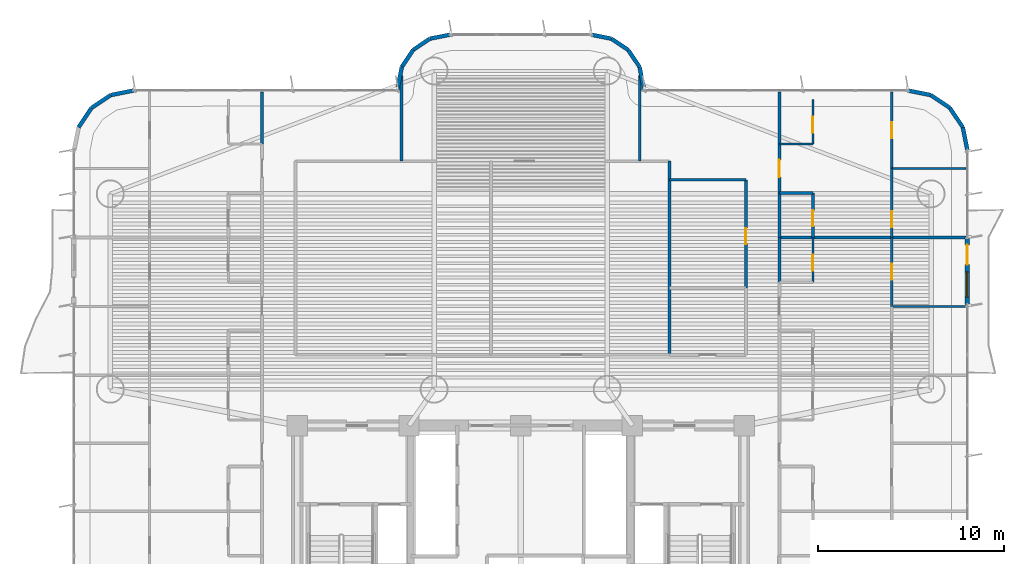
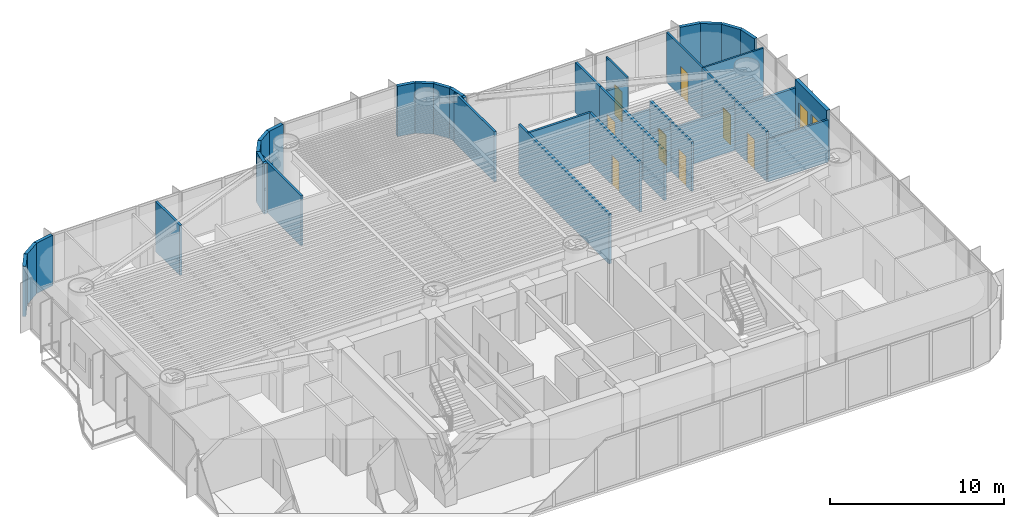
# One storey, part 14 of 19: 39 walls, 9 doors, 1 window, 10 openings.
"""IFC4 building model written with IfcOpenShell, lengths in metres."""

from ifc_helpers import new_model, si_unit, direction, frame, frame_2d, origin, origin_2d, place, context, subcontext, project, spatial, rectangle, extrude, source, transform, mapped, material, layer, layer_set, type_object, element, fill, save


model = new_model("IFC4")

# Units and contexts
model_context = context("Model", 3, precision=1e-05, world=origin(), true_north=direction((0.0, 1.0)))
body_context = subcontext(model_context, "Body", "Model", "MODEL_VIEW")
ifc_project = project(units=[si_unit("LENGTHUNIT", "METRE"), si_unit("AREAUNIT", "SQUARE_METRE"), si_unit("VOLUMEUNIT", "CUBIC_METRE"), si_unit("PLANEANGLEUNIT", "RADIAN"), si_unit("MASSUNIT", "GRAM", prefix="KILO")], contexts=[model_context])

# Site, building, storey
site_placement = place(None, origin())
site = spatial("IfcSite", under=ifc_project, at=site_placement, CompositionType="ELEMENT")
building_placement = place(site_placement, origin())
building = spatial("IfcBuilding", under=site, at=building_placement, Name="Brelvock Crest Care Tower", CompositionType="ELEMENT")
storey_placement = place(building_placement, frame((0.0, 0.0, 34.56005859375)))
storey = spatial("IfcBuildingStorey", under=building, at=storey_placement, Name="L08", CompositionType="ELEMENT", Elevation=34.56005859375)

# Wall, openings, door, window
ifc_material_1 = material(Name="Precast concrete N40 (40 MPa)", Category="concrete")
ifc_layer_1 = layer(ifc_material_1, 0.239990234375, Name="WL-EX1")
ifc_layer_set_1 = layer_set([ifc_layer_1], Name="Precast concrete N40 (40 MPa)")
wall_type_1 = type_object("IfcWallType", Name="WL-EX1", PredefinedType="SOLIDWALL", material=ifc_layer_set_1)
wall_1_placement = place(storey_placement, frame((60.0, 28.10009765625, 0.0), z_axis=(0.0, 0.0, 1.0), x_axis=(0.0, -1.0, 0.0)))
wall_1 = element("IfcWall", 1, at=wall_1_placement, inside=storey, type_object=wall_type_1, Name="L08 Exterior Spandrel Wall WL-BAL-L08-E", PredefinedType="SOLIDWALL", context=body_context, shape_type="SweptSolid", body=[
    extrude(rectangle(XDim=3.60009765625, YDim=0.239990234375, at=frame_2d((1.800048828125, 0.0))), origin(), (0.0, 0.0, 1.0), 3.530029296875),
])
opening_1_placement = place(wall_1_placement, frame((0.39990234375, 0.0, 0.0)))
opening_1 = element("IfcOpeningElement", 2, at=opening_1_placement, cuts=wall_1, Name="Opening BD-1", PredefinedType="OPENING", context=body_context, shape_type="SweptSolid", body=[
    extrude(rectangle(XDim=1.050048828125, YDim=2.14990234375, at=origin_2d()), frame((0.52490234375, 0.1298828125, 1.074951171875), z_axis=(0.0, -1.0, 0.0), x_axis=(1.0, 0.0, 0.0)), (0.0, 0.0, 1.0), 0.260009765625),
])
opening_2_placement = place(wall_1_placement, frame((1.85009765625, 0.0, 0.85009765625)))
opening_2 = element("IfcOpeningElement", 3, at=opening_2_placement, cuts=wall_1, Name="Opening W-01", PredefinedType="OPENING", context=body_context, shape_type="SweptSolid", body=[
    extrude(rectangle(XDim=1.35009765625, YDim=1.35009765625, at=origin_2d()), frame((0.675048828125, 0.1298828125, 0.675048828125), z_axis=(0.0, -1.0, 0.0), x_axis=(1.0, 0.0, 0.0)), (0.0, 0.0, 1.0), 0.260009765625),
])
ifc_material_2 = material(Name="Dark Glass Double Glazed Low-E", Category="glass")
door_type_1 = type_object("IfcDoorType", Name="DR-BAL1", OperationType="NOTDEFINED", PredefinedType="DOOR", material=ifc_material_2)
shared_shape_1 = source(origin(), body_context, "Body", "SweptSolid", [
    extrude(rectangle(XDim=1.050048828125, YDim=2.14990234375, at=origin_2d()), frame((0.52490234375, 0.02490234375, 1.074951171875), z_axis=(0.0, -1.0, 0.0), x_axis=(1.0, 0.0, 0.0)), (0.0, 0.0, 1.0), 0.050048828125),
])
door_1_placement = place(opening_1_placement, origin())
door_1 = element("IfcDoor", 4, at=door_1_placement, inside=storey, type_object=door_type_1, Name="L08 E Wave Balcony Glazed Door", OperationType="SINGLE_SWING_RIGHT", OverallHeight=2.14990234375, OverallWidth=1.050048828125, PredefinedType="DOOR", context=body_context, shape_type="MappedRepresentation", body=[
    mapped(shared_shape_1, transform((0.0, 0.0, 0.0), x_axis=(1.0, 0.0, 0.0), y_axis=(0.0, 1.0, 0.0), z_axis=(0.0, 0.0, 1.0), scale=1.0)),
])
fill(opening_1, door_1)
window_type = type_object("IfcWindowType", Name="WN-EX1", PartitioningType="SINGLE_PANEL", PredefinedType="WINDOW", material=ifc_material_2)
shared_shape_2 = source(origin(), body_context, "Body", "SweptSolid", [
    extrude(rectangle(XDim=1.35009765625, YDim=1.35009765625, at=origin_2d()), frame((0.675048828125, 0.030029296875, 0.675048828125), z_axis=(0.0, -1.0, 0.0), x_axis=(1.0, 0.0, 0.0)), (0.0, 0.0, 1.0), 0.06005859375),
])
window_placement = place(opening_2_placement, origin())
window = element("IfcWindow", 5, at=window_placement, inside=storey, type_object=window_type, Name="L08 E Suite Casement Window", OverallHeight=1.35009765625, OverallWidth=1.35009765625, PartitioningType="SINGLE_PANEL", PredefinedType="WINDOW", context=body_context, shape_type="MappedRepresentation", body=[
    mapped(shared_shape_2, transform((0.0, 0.0, 0.0), x_axis=(1.0, 0.0, 0.0), y_axis=(0.0, 1.0, 0.0), z_axis=(0.0, 0.0, 1.0), scale=1.0)),
])
fill(opening_2, window)

# Walls
ifc_layer_2 = layer(ifc_material_1, 0.215087890625, Name="WL-EX2")
ifc_layer_set_2 = layer_set([ifc_layer_2], Name="Precast concrete N40 (40 MPa)")
wall_type_2 = type_object("IfcWallType", Name="WL-EX2", PredefinedType="SOLIDWALL", material=ifc_layer_set_2)
for number, where, z_axis, x_axis, name in (
    (6, (58.024658203125, 35.75634765625, 0.0), (0.0, 0.0, 1.0), (0.831478245117, -0.555557312883, 0.0), "L08 Rounded Corner Wall 00"),
    (7, (59.062744140625, 35.062744140625, 0.0), (0.0, 0.0, 1.0), (0.555557312883, -0.831478245117, 0.0), "L08 Rounded Corner Wall 01"),
    (8, (59.75634765625, 34.024658203125, 0.0), (0.0, 0.0, 1.0), (0.195138390419, -0.980775717779, 0.0), "L08 Rounded Corner Wall 02"),
    (9, (12.24365234375, 34.024658203125, 0.0), (0.0, 0.0, 1.0), (0.555557312883, 0.831478245117, 0.0), "L08 Rounded Corner Wall 15"),
    (10, (12.937255859375, 35.062744140625, 0.0), (0.0, 0.0, 1.0), (0.831478245117, 0.555557312883, 0.0), "L08 Rounded Corner Wall 16"),
    (11, (13.975341796875, 35.75634765625, 0.0), (0.0, 0.0, 1.0), (0.980775717779, 0.195138390419, 0.0), "L08 Rounded Corner Wall 17"),
):
    element("IfcWall", number, at=place(storey_placement, frame(where, z_axis=z_axis, x_axis=x_axis)), inside=storey, type_object=wall_type_2, Name=name, PredefinedType="SOLIDWALL", context=body_context, shape_type="SweptSolid", body=[
        extrude(rectangle(XDim=1.24853515625, YDim=0.215087890625, at=frame_2d((0.624267578125, 0.0))), origin(), (0.0, 0.0, 1.0), 3.530029296875),
    ])
wall_2_placement = place(storey_placement, frame((29.39990234375, 36.0, 0.0), z_axis=(0.0, 0.0, 1.0), x_axis=(0.0, 1.0, 0.0)))
element("IfcWall", 12, at=wall_2_placement, inside=storey, type_object=wall_type_2, Name="L08 Rounded Corner Wall 19", PredefinedType="SOLIDWALL", context=body_context, shape_type="SweptSolid", body=[
    extrude(rectangle(XDim=0.199951171875, YDim=0.215087890625, at=frame_2d((0.10009765625, 0.0))), origin(), (0.0, 0.0, 1.0), 3.530029296875),
])
wall_3_placement = place(storey_placement, frame((29.39990234375, 36.199951171875, 0.0), z_axis=(0.0, 0.0, 1.0), x_axis=(0.195084651288, 0.980786408364, 0.0)))
element("IfcWall", 13, at=wall_3_placement, inside=storey, type_object=wall_type_2, Name="L08 Rounded Corner Wall 20", PredefinedType="SOLIDWALL", context=body_context, shape_type="SweptSolid", body=[
    extrude(rectangle(XDim=1.092529296875, YDim=0.215087890625, at=frame_2d((0.54638671875, 0.0))), origin(), (0.0, 0.0, 1.0), 3.530029296875),
])
wall_4_placement = place(storey_placement, frame((29.613037109375, 37.271484375, 0.0), z_axis=(0.0, 0.0, 1.0), x_axis=(0.555679482341, 0.831396603857, 0.0)))
element("IfcWall", 14, at=wall_4_placement, inside=storey, type_object=wall_type_2, Name="L08 Rounded Corner Wall 21", PredefinedType="SOLIDWALL", context=body_context, shape_type="SweptSolid", body=[
    extrude(rectangle(XDim=1.0927734375, YDim=0.215087890625, at=frame_2d((0.54638671875, 0.0))), origin(), (0.0, 0.0, 1.0), 3.530029296875),
])
wall_5_placement = place(storey_placement, frame((30.22021484375, 38.179931640625, 0.0), z_axis=(0.0, 0.0, 1.0), x_axis=(0.831430845238, 0.555628247651, 0.0)))
element("IfcWall", 15, at=wall_5_placement, inside=storey, type_object=wall_type_2, Name="L08 Rounded Corner Wall 22", PredefinedType="SOLIDWALL", context=body_context, shape_type="SweptSolid", body=[
    extrude(rectangle(XDim=1.09228515625, YDim=0.215087890625, at=frame_2d((0.546142578125, 0.0))), origin(), (0.0, 0.0, 1.0), 3.530029296875),
])
for number, where, z_axis, x_axis, name in (
    (16, (31.12841796875, 38.786865234375, 0.0), (0.0, 0.0, 1.0), (0.980786408364, 0.195084651288, 0.0), "L08 Rounded Corner Wall 23"),
    (17, (39.800048828125, 39.0, 0.0), (0.0, 0.0, 1.0), (0.980786408364, -0.195084651288, 0.0), "L08 Rounded Corner Wall 25"),
):
    element("IfcWall", number, at=place(storey_placement, frame(where, z_axis=z_axis, x_axis=x_axis)), inside=storey, type_object=wall_type_2, Name=name, PredefinedType="SOLIDWALL", context=body_context, shape_type="SweptSolid", body=[
        extrude(rectangle(XDim=1.092529296875, YDim=0.215087890625, at=frame_2d((0.54638671875, 0.0))), origin(), (0.0, 0.0, 1.0), 3.530029296875),
    ])
wall_6_placement = place(storey_placement, frame((40.87158203125, 38.786865234375, 0.0), z_axis=(0.0, 0.0, 1.0), x_axis=(0.831430845238, -0.555628247651, 0.0)))
element("IfcWall", 18, at=wall_6_placement, inside=storey, type_object=wall_type_2, Name="L08 Rounded Corner Wall 26", PredefinedType="SOLIDWALL", context=body_context, shape_type="SweptSolid", body=[
    extrude(rectangle(XDim=1.09228515625, YDim=0.215087890625, at=frame_2d((0.546142578125, 0.0))), origin(), (0.0, 0.0, 1.0), 3.530029296875),
])
wall_7_placement = place(storey_placement, frame((41.77978515625, 38.179931640625, 0.0), z_axis=(0.0, 0.0, 1.0), x_axis=(0.555679482341, -0.831396603857, 0.0)))
element("IfcWall", 19, at=wall_7_placement, inside=storey, type_object=wall_type_2, Name="L08 Rounded Corner Wall 27", PredefinedType="SOLIDWALL", context=body_context, shape_type="SweptSolid", body=[
    extrude(rectangle(XDim=1.0927734375, YDim=0.215087890625, at=frame_2d((0.54638671875, 0.0))), origin(), (0.0, 0.0, 1.0), 3.530029296875),
])
wall_8_placement = place(storey_placement, frame((42.386962890625, 37.271484375, 0.0), z_axis=(0.0, 0.0, 1.0), x_axis=(0.195084651288, -0.980786408364, 0.0)))
element("IfcWall", 20, at=wall_8_placement, inside=storey, type_object=wall_type_2, Name="L08 Rounded Corner Wall 28", PredefinedType="SOLIDWALL", context=body_context, shape_type="SweptSolid", body=[
    extrude(rectangle(XDim=1.092529296875, YDim=0.215087890625, at=frame_2d((0.54638671875, 0.0))), origin(), (0.0, 0.0, 1.0), 3.530029296875),
])
wall_9_placement = place(storey_placement, frame((42.60009765625, 36.199951171875, 0.0), z_axis=(0.0, 0.0, 1.0), x_axis=(0.0, -1.0, 0.0)))
element("IfcWall", 21, at=wall_9_placement, inside=storey, type_object=wall_type_2, Name="L08 Rounded Corner Wall 29", PredefinedType="SOLIDWALL", context=body_context, shape_type="SweptSolid", body=[
    extrude(rectangle(XDim=0.199951171875, YDim=0.215087890625, at=frame_2d((0.10009765625, 0.0))), origin(), (0.0, 0.0, 1.0), 3.530029296875),
])
wall_10_placement = place(storey_placement, frame((56.800048828125, 36.0, 0.0), z_axis=(0.0, 0.0, 1.0), x_axis=(0.980775717779, -0.195138390419, 0.0)))
element("IfcWall", 22, at=wall_10_placement, inside=storey, type_object=wall_type_2, Name="L08 Rounded Corner Wall 31", PredefinedType="SOLIDWALL", context=body_context, shape_type="SweptSolid", body=[
    extrude(rectangle(XDim=1.24853515625, YDim=0.215087890625, at=frame_2d((0.624267578125, 0.0))), origin(), (0.0, 0.0, 1.0), 3.530029296875),
])
ifc_material_3 = material(Name="Masonry Blockwork Acoustic Partition", Category="masonry")
ifc_layer_3 = layer(ifc_material_3, 0.14990234375, Name="WL-INT1")
ifc_layer_set_3 = layer_set([ifc_layer_3], Name="Masonry Blockwork Acoustic Partition")
wall_type_3 = type_object("IfcWallType", Name="WL-INT1", PredefinedType="PARTITIONING", material=ifc_layer_set_3)
wall_11_placement = place(storey_placement, frame((49.89990234375, 28.10009765625, 0.0), z_axis=(0.0, 0.0, 1.0), x_axis=(1.0, 0.0, 0.0)))
element("IfcWall", 23, at=wall_11_placement, inside=storey, type_object=wall_type_3, Name="L08 Interior Wall WL-BX-L08-FL-EW3-N", PredefinedType="PARTITIONING", context=body_context, shape_type="SweptSolid", body=[
    extrude(rectangle(XDim=10.02001953125, YDim=0.14990234375, at=frame_2d((5.010009765625, 0.0))), origin(), (0.0, 0.0, 1.0), 2.98193359375),
])
wall_12_placement = place(storey_placement, frame((44.0, 31.199951171875, 0.0), z_axis=(0.0, 0.0, 1.0), x_axis=(1.0, 0.0, 0.0)))
element("IfcWall", 24, at=wall_12_placement, inside=storey, type_object=wall_type_3, Name="L08 Interior Wall WL-BX-L08-CKIT-N", PredefinedType="PARTITIONING", context=body_context, shape_type="SweptSolid", body=[
    extrude(rectangle(XDim=4.10009765625, YDim=0.14990234375, at=frame_2d((2.050048828125, 0.0))), origin(), (0.0, 0.0, 1.0), 3.5),
])
wall_13_placement = place(storey_placement, frame((22.10009765625, 33.1201171875, 0.0), z_axis=(0.0, 0.0, 1.0), x_axis=(0.0, 1.0, 0.0)))
element("IfcWall", 25, at=wall_13_placement, inside=storey, type_object=wall_type_3, Name="L08 Interior Wall WL-UCK-L08-WW4", PredefinedType="PARTITIONING", context=body_context, shape_type="SweptSolid", body=[
    extrude(rectangle(XDim=2.800537109375, YDim=0.14990234375, at=frame_2d((1.400390625, 0.0))), origin(), (0.0, 0.0, 1.0), 3.5),
])
for number, where, z_axis, x_axis, name in (
    (26, (29.60009765625, 32.199951171875, 0.0), (0.0, 0.0, 1.0), (0.0, 1.0, 0.0), "L08 Interior Wall WL-BX-L08-NHUB-W"),
    (27, (42.39990234375, 32.199951171875, 0.0), (0.0, 0.0, 1.0), (0.0, 1.0, 0.0), "L08 Interior Wall WL-BX-L08-NHUB-E"),
):
    element("IfcWall", number, at=place(storey_placement, frame(where, z_axis=z_axis, x_axis=x_axis)), inside=storey, type_object=wall_type_3, Name=name, PredefinedType="PARTITIONING", context=body_context, shape_type="SweptSolid", body=[
        extrude(rectangle(XDim=4.595458984375, YDim=0.14990234375, at=frame_2d((2.2978515625, 0.0))), origin(), (0.0, 0.0, 1.0), 3.5),
    ])

# Wall, opening, door
wall_14_placement = place(storey_placement, frame((48.10009765625, 25.39990234375, 0.0), z_axis=(0.0, 0.0, 1.0), x_axis=(0.0, 1.0, 0.0)))
wall_14 = element("IfcWall", 28, at=wall_14_placement, inside=storey, type_object=wall_type_3, Name="L08 Interior Wall WL-RM-L08-CKIT", PredefinedType="PARTITIONING", context=body_context, shape_type="SweptSolid", body=[
    extrude(rectangle(XDim=5.800048828125, YDim=0.14990234375, at=frame_2d((2.89990234375, 0.0))), origin(), (0.0, 0.0, 1.0), 3.5),
])
opening_3_placement = place(wall_14_placement, frame((2.340087890625, 0.0, 0.0)))
opening_3 = element("IfcOpeningElement", 29, at=opening_3_placement, cuts=wall_14, Name="Opening ID-1", PredefinedType="OPENING", context=body_context, shape_type="SweptSolid", body=[
    extrude(rectangle(XDim=0.860107421875, YDim=2.10009765625, at=origin_2d()), frame((0.43017578125, 0.0849609375, 1.050048828125), z_axis=(0.0, -1.0, 0.0), x_axis=(1.0, 0.0, 0.0)), (0.0, 0.0, 1.0), 0.169921875),
])
ifc_material_4 = material(Name="Engineered Hardwood Timber", Category="wood")
door_type_2 = type_object("IfcDoorType", Name="DR-INT1", OperationType="NOTDEFINED", PredefinedType="DOOR", material=ifc_material_4)
shared_shape_3 = source(origin(), body_context, "Body", "SweptSolid", [
    extrude(rectangle(XDim=0.860107421875, YDim=2.10009765625, at=origin_2d()), frame((0.43017578125, 0.02490234375, 1.050048828125), z_axis=(0.0, -1.0, 0.0), x_axis=(1.0, 0.0, 0.0)), (0.0, 0.0, 1.0), 0.050048828125),
])
door_2_placement = place(opening_3_placement, origin())
door_2 = element("IfcDoor", 30, at=door_2_placement, inside=storey, type_object=door_type_2, Name="L08 Neighbourhood Pantry Kitchen Door CKIT", OperationType="SINGLE_SWING_LEFT", OverallHeight=2.10009765625, OverallWidth=0.860107421875, PredefinedType="DOOR", context=body_context, shape_type="MappedRepresentation", body=[
    mapped(shared_shape_3, transform((0.0, 0.0, 0.0), x_axis=(1.0, 0.0, 0.0), y_axis=(0.0, 1.0, 0.0), z_axis=(0.0, 0.0, 1.0), scale=1.0)),
])
fill(opening_3, door_2)

# Wall
wall_15_placement = place(storey_placement, frame((49.89990234375, 25.699951171875, 0.0), z_axis=(0.0, 0.0, 1.0), x_axis=(0.0, 1.0, 0.0)))
element("IfcWall", 31, at=wall_15_placement, inside=storey, type_object=wall_type_3, Name="L08 Interior Wall WL-UCK-L08-EW3", PredefinedType="PARTITIONING", context=body_context, shape_type="SweptSolid", body=[
    extrude(rectangle(XDim=2.400146484375, YDim=0.14990234375, at=frame_2d((1.2001953125, 0.0))), origin(), (0.0, 0.0, 1.0), 3.5),
])

# Wall, opening, door
wall_16_placement = place(storey_placement, frame((49.89990234375, 30.5, 0.0), z_axis=(0.0, 0.0, 1.0), x_axis=(0.0, 1.0, 0.0)))
wall_16 = element("IfcWall", 32, at=wall_16_placement, inside=storey, type_object=wall_type_3, Name="L08 Interior Wall WL-UENT-L08-EW4", PredefinedType="PARTITIONING", context=body_context, shape_type="SweptSolid", body=[
    extrude(rectangle(XDim=2.6201171875, YDim=0.14990234375, at=frame_2d((1.31005859375, 0.0))), origin(), (0.0, 0.0, 1.0), 3.5),
])
opening_4_placement = place(wall_16_placement, frame((0.85009765625, 0.0, 0.0)))
opening_4 = element("IfcOpeningElement", 33, at=opening_4_placement, cuts=wall_16, Name="Opening AD-1", PredefinedType="OPENING", context=body_context, shape_type="SweptSolid", body=[
    extrude(rectangle(XDim=0.919921875, YDim=2.10009765625, at=origin_2d()), frame((0.4599609375, 0.0849609375, 1.050048828125), z_axis=(0.0, -1.0, 0.0), x_axis=(1.0, 0.0, 0.0)), (0.0, 0.0, 1.0), 0.169921875),
])
door_type_3 = type_object("IfcDoorType", Name="DR-APT1", OperationType="NOTDEFINED", PredefinedType="DOOR", material=ifc_material_4)
shared_shape_4 = source(origin(), body_context, "Body", "SweptSolid", [
    extrude(rectangle(XDim=0.919921875, YDim=2.10009765625, at=origin_2d()), frame((0.4599609375, 0.02490234375, 1.050048828125), z_axis=(0.0, -1.0, 0.0), x_axis=(1.0, 0.0, 0.0)), (0.0, 0.0, 1.0), 0.050048828125),
])
door_3_placement = place(opening_4_placement, origin())
door_3 = element("IfcDoor", 34, at=door_3_placement, inside=storey, type_object=door_type_3, Name="L08 Apartment Entrance EW4", OperationType="SINGLE_SWING_LEFT", OverallHeight=2.10009765625, OverallWidth=0.919921875, PredefinedType="DOOR", context=body_context, shape_type="MappedRepresentation", body=[
    mapped(shared_shape_4, transform((0.0, 0.0, 0.0), x_axis=(1.0, 0.0, 0.0), y_axis=(0.0, 1.0, 0.0), z_axis=(0.0, 0.0, 1.0), scale=1.0)),
])
fill(opening_4, door_3)

# Walls
wall_17_placement = place(storey_placement, frame((49.89990234375, 33.1201171875, 0.0), z_axis=(0.0, 0.0, 1.0), x_axis=(0.0, 1.0, 0.0)))
element("IfcWall", 35, at=wall_17_placement, inside=storey, type_object=wall_type_3, Name="L08 Interior Wall WL-UCK-L08-EW4", PredefinedType="PARTITIONING", context=body_context, shape_type="SweptSolid", body=[
    extrude(rectangle(XDim=2.800048828125, YDim=0.14990234375, at=frame_2d((1.39990234375, 0.0))), origin(), (0.0, 0.0, 1.0), 3.5),
])
ifc_material_5 = material(Name="Gypsum Plasterboard Partition", Category="gypsum")
ifc_layer_4 = layer(ifc_material_5, 0.1201171875, Name="WL-INT2")
ifc_layer_set_4 = layer_set([ifc_layer_4], Name="Gypsum Plasterboard Partition")
wall_type_4 = type_object("IfcWallType", Name="WL-INT2", PredefinedType="PARTITIONING", material=ifc_layer_set_4)
wall_18_placement = place(storey_placement, frame((55.93603515625, 24.39990234375, 0.0), z_axis=(0.0, 0.0, 1.0), x_axis=(1.0, 0.0, 0.0)))
element("IfcWall", 36, at=wall_18_placement, inside=storey, type_object=wall_type_4, Name="L08 Interior Wall WL-UBSP-L08-EW3", PredefinedType="PARTITIONING", context=body_context, shape_type="SweptSolid", body=[
    extrude(rectangle(XDim=3.98388671875, YDim=0.1201171875, at=frame_2d((1.991943359375, 0.0))), origin(), (0.0, 0.0, 1.0), 2.98193359375),
])
wall_19_placement = place(storey_placement, frame((55.93603515625, 31.81005859375, 0.0), z_axis=(0.0, 0.0, 1.0), x_axis=(1.0, 0.0, 0.0)))
element("IfcWall", 37, at=wall_19_placement, inside=storey, type_object=wall_type_4, Name="L08 Interior Wall WL-UBSP-L08-EW4", PredefinedType="PARTITIONING", context=body_context, shape_type="SweptSolid", body=[
    extrude(rectangle(XDim=3.98388671875, YDim=0.1201171875, at=frame_2d((1.991943359375, 0.0))), origin(), (0.0, 0.0, 1.0), 3.5),
])
wall_20_placement = place(storey_placement, frame((49.89990234375, 33.1201171875, 0.0), z_axis=(0.0, 0.0, 1.0), x_axis=(1.0, 0.0, 0.0)))
element("IfcWall", 38, at=wall_20_placement, inside=storey, type_object=wall_type_4, Name="L08 Interior Wall WL-UKIT2-L08-EW4", PredefinedType="PARTITIONING", context=body_context, shape_type="SweptSolid", body=[
    extrude(rectangle(XDim=1.800048828125, YDim=0.1201171875, at=frame_2d((0.89990234375, 0.0))), origin(), (0.0, 0.0, 1.0), 3.054931640625),
])

# Wall, opening, door
wall_21_placement = place(storey_placement, frame((51.699951171875, 25.699951171875, 0.0), z_axis=(0.0, 0.0, 1.0), x_axis=(0.0, 1.0, 0.0)))
wall_21 = element("IfcWall", 39, at=wall_21_placement, inside=storey, type_object=wall_type_4, Name="L08 Interior Wall WL-UKIT1-L08-EW3", PredefinedType="PARTITIONING", context=body_context, shape_type="SweptSolid", body=[
    extrude(rectangle(XDim=2.400146484375, YDim=0.1201171875, at=frame_2d((1.2001953125, 0.0))), origin(), (0.0, 0.0, 1.0), 3.5),
])
opening_5_placement = place(wall_21_placement, frame((0.6201171875, 0.0, 0.0)))
opening_5 = element("IfcOpeningElement", 40, at=opening_5_placement, cuts=wall_21, Name="Opening ID-1", PredefinedType="OPENING", context=body_context, shape_type="SweptSolid", body=[
    extrude(rectangle(XDim=0.860107421875, YDim=2.10009765625, at=origin_2d()), frame((0.43017578125, 0.070068359375, 1.050048828125), z_axis=(0.0, -1.0, 0.0), x_axis=(1.0, 0.0, 0.0)), (0.0, 0.0, 1.0), 0.14013671875),
])
door_4_placement = place(opening_5_placement, origin())
door_4 = element("IfcDoor", 41, at=door_4_placement, inside=storey, type_object=door_type_2, Name="L08 Kitchen Door EW3", OperationType="SINGLE_SWING_RIGHT", OverallHeight=2.10009765625, OverallWidth=0.860107421875, PredefinedType="DOOR", context=body_context, shape_type="MappedRepresentation", body=[
    mapped(shared_shape_3, transform((0.0, 0.0, 0.0), x_axis=(1.0, 0.0, 0.0), y_axis=(0.0, 1.0, 0.0), z_axis=(0.0, 0.0, 1.0), scale=1.0)),
])
fill(opening_5, door_4)

wall_22_placement = place(storey_placement, frame((51.699951171875, 33.1201171875, 0.0), z_axis=(0.0, 0.0, 1.0), x_axis=(0.0, 1.0, 0.0)))
wall_22 = element("IfcWall", 42, at=wall_22_placement, inside=storey, type_object=wall_type_4, Name="L08 Interior Wall WL-UKIT1-L08-EW4", PredefinedType="PARTITIONING", context=body_context, shape_type="SweptSolid", body=[
    extrude(rectangle(XDim=2.39990234375, YDim=0.1201171875, at=frame_2d((1.199951171875, 0.0))), origin(), (0.0, 0.0, 1.0), 3.5),
])
opening_6_placement = place(wall_22_placement, frame((0.6201171875, 0.0, 0.0)))
opening_6 = element("IfcOpeningElement", 43, at=opening_6_placement, cuts=wall_22, Name="Opening ID-1", PredefinedType="OPENING", context=body_context, shape_type="SweptSolid", body=[
    extrude(rectangle(XDim=0.860107421875, YDim=2.10009765625, at=origin_2d()), frame((0.43017578125, 0.070068359375, 1.050048828125), z_axis=(0.0, -1.0, 0.0), x_axis=(1.0, 0.0, 0.0)), (0.0, 0.0, 1.0), 0.14013671875),
])
door_5_placement = place(opening_6_placement, origin())
door_5 = element("IfcDoor", 44, at=door_5_placement, inside=storey, type_object=door_type_2, Name="L08 Kitchen Door EW4", OperationType="SINGLE_SWING_RIGHT", OverallHeight=2.10009765625, OverallWidth=0.860107421875, PredefinedType="DOOR", context=body_context, shape_type="MappedRepresentation", body=[
    mapped(shared_shape_3, transform((0.0, 0.0, 0.0), x_axis=(1.0, 0.0, 0.0), y_axis=(0.0, 1.0, 0.0), z_axis=(0.0, 0.0, 1.0), scale=1.0)),
])
fill(opening_6, door_5)

wall_23_placement = place(storey_placement, frame((55.93603515625, 24.39990234375, 0.0), z_axis=(0.0, 0.0, 1.0), x_axis=(0.0, 1.0, 0.0)))
wall_23 = element("IfcWall", 45, at=wall_23_placement, inside=storey, type_object=wall_type_4, Name="L08 Interior Wall WL-UBD2-L08-EW3", PredefinedType="PARTITIONING", context=body_context, shape_type="SweptSolid", body=[
    extrude(rectangle(XDim=3.7001953125, YDim=0.1201171875, at=frame_2d((1.85009765625, 0.0))), origin(), (0.0, 0.0, 1.0), 3.5),
])
opening_7_placement = place(wall_23_placement, frame((1.419921875, 0.0, 0.0)))
opening_7 = element("IfcOpeningElement", 46, at=opening_7_placement, cuts=wall_23, Name="Opening ID-1", PredefinedType="OPENING", context=body_context, shape_type="SweptSolid", body=[
    extrude(rectangle(XDim=0.860107421875, YDim=2.10009765625, at=origin_2d()), frame((0.43017578125, 0.070068359375, 1.050048828125), z_axis=(0.0, -1.0, 0.0), x_axis=(1.0, 0.0, 0.0)), (0.0, 0.0, 1.0), 0.14013671875),
])
door_6_placement = place(opening_7_placement, origin())
door_6 = element("IfcDoor", 47, at=door_6_placement, inside=storey, type_object=door_type_2, Name="L08 Second Room Door EW3", OperationType="SINGLE_SWING_LEFT", OverallHeight=2.10009765625, OverallWidth=0.860107421875, PredefinedType="DOOR", context=body_context, shape_type="MappedRepresentation", body=[
    mapped(shared_shape_3, transform((0.0, 0.0, 0.0), x_axis=(1.0, 0.0, 0.0), y_axis=(0.0, 1.0, 0.0), z_axis=(0.0, 0.0, 1.0), scale=1.0)),
])
fill(opening_7, door_6)

wall_24_placement = place(storey_placement, frame((55.93603515625, 28.10009765625, 0.0), z_axis=(0.0, 0.0, 1.0), x_axis=(0.0, 1.0, 0.0)))
wall_24 = element("IfcWall", 48, at=wall_24_placement, inside=storey, type_object=wall_type_4, Name="L08 Interior Wall WL-UBD1-L08-EW4", PredefinedType="PARTITIONING", context=body_context, shape_type="SweptSolid", body=[
    extrude(rectangle(XDim=3.7099609375, YDim=0.1201171875, at=frame_2d((1.85498046875, 0.0))), origin(), (0.0, 0.0, 1.0), 3.5),
])
opening_8_placement = place(wall_24_placement, frame((0.544921875, 0.0, 0.0)))
opening_8 = element("IfcOpeningElement", 49, at=opening_8_placement, cuts=wall_24, Name="Opening ID-1", PredefinedType="OPENING", context=body_context, shape_type="SweptSolid", body=[
    extrude(rectangle(XDim=0.860107421875, YDim=2.10009765625, at=origin_2d()), frame((0.43017578125, 0.070068359375, 1.050048828125), z_axis=(0.0, -1.0, 0.0), x_axis=(1.0, 0.0, 0.0)), (0.0, 0.0, 1.0), 0.14013671875),
])
door_7_placement = place(opening_8_placement, origin())
door_7 = element("IfcDoor", 50, at=door_7_placement, inside=storey, type_object=door_type_2, Name="L08 Primary Bedroom Door EW4", OperationType="SINGLE_SWING_RIGHT", OverallHeight=2.10009765625, OverallWidth=0.860107421875, PredefinedType="DOOR", context=body_context, shape_type="MappedRepresentation", body=[
    mapped(shared_shape_3, transform((0.0, 0.0, 0.0), x_axis=(1.0, 0.0, 0.0), y_axis=(0.0, 1.0, 0.0), z_axis=(0.0, 0.0, 1.0), scale=1.0)),
])
fill(opening_8, door_7)

wall_25_placement = place(storey_placement, frame((55.93603515625, 31.81005859375, 0.0), z_axis=(0.0, 0.0, 1.0), x_axis=(0.0, 1.0, 0.0)))
wall_25 = element("IfcWall", 51, at=wall_25_placement, inside=storey, type_object=wall_type_4, Name="L08 Interior Wall WL-UBD2-L08-EW4", PredefinedType="PARTITIONING", context=body_context, shape_type="SweptSolid", body=[
    extrude(rectangle(XDim=4.10986328125, YDim=0.1201171875, at=frame_2d((2.054931640625, 0.0))), origin(), (0.0, 0.0, 1.0), 3.5),
])
opening_9_placement = place(wall_25_placement, frame((1.625, 0.0, 0.0)))
opening_9 = element("IfcOpeningElement", 52, at=opening_9_placement, cuts=wall_25, Name="Opening ID-1", PredefinedType="OPENING", context=body_context, shape_type="SweptSolid", body=[
    extrude(rectangle(XDim=0.860107421875, YDim=2.10009765625, at=origin_2d()), frame((0.43017578125, 0.070068359375, 1.050048828125), z_axis=(0.0, -1.0, 0.0), x_axis=(1.0, 0.0, 0.0)), (0.0, 0.0, 1.0), 0.14013671875),
])
door_8_placement = place(opening_9_placement, origin())
door_8 = element("IfcDoor", 53, at=door_8_placement, inside=storey, type_object=door_type_2, Name="L08 Second Room Door EW4", OperationType="SINGLE_SWING_LEFT", OverallHeight=2.10009765625, OverallWidth=0.860107421875, PredefinedType="DOOR", context=body_context, shape_type="MappedRepresentation", body=[
    mapped(shared_shape_3, transform((0.0, 0.0, 0.0), x_axis=(1.0, 0.0, 0.0), y_axis=(0.0, 1.0, 0.0), z_axis=(0.0, 0.0, 1.0), scale=1.0)),
])
fill(opening_9, door_8)

# Walls
ifc_layer_5 = layer(ifc_material_5, 0.159912109375, Name="WL-PLM1")
ifc_layer_set_5 = layer_set([ifc_layer_5], Name="Gypsum Plasterboard Partition")
wall_type_5 = type_object("IfcWallType", Name="WL-PLM1", PredefinedType="PLUMBINGWALL", material=ifc_layer_set_5)
wall_26_placement = place(storey_placement, frame((49.89990234375, 30.5, 0.0), z_axis=(0.0, 0.0, 1.0), x_axis=(1.0, 0.0, 0.0)))
element("IfcWall", 54, at=wall_26_placement, inside=storey, type_object=wall_type_5, Name="L08 Interior Wall WL-UBTH2-L08-EW4", PredefinedType="PLUMBINGWALL", context=body_context, shape_type="SweptSolid", body=[
    extrude(rectangle(XDim=1.800048828125, YDim=0.159912109375, at=frame_2d((0.89990234375, 0.0))), origin(), (0.0, 0.0, 1.0), 2.90283203125),
])
wall_27_placement = place(storey_placement, frame((44.0, 21.800048828125, 0.0), z_axis=(0.0, 0.0, 1.0), x_axis=(0.0, 1.0, 0.0)))
element("IfcWall", 55, at=wall_27_placement, inside=storey, type_object=wall_type_5, Name="L08 Interior Wall WL-BX-L08-CNE-E", PredefinedType="PLUMBINGWALL", context=body_context, shape_type="SweptSolid", body=[
    extrude(rectangle(XDim=10.39990234375, YDim=0.159912109375, at=frame_2d((5.199951171875, 0.0))), origin(), (0.0, 0.0, 1.0), 3.5),
])
wall_28_placement = place(storey_placement, frame((49.89990234375, 28.10009765625, 0.0), z_axis=(0.0, 0.0, 1.0), x_axis=(0.0, 1.0, 0.0)))
element("IfcWall", 56, at=wall_28_placement, inside=storey, type_object=wall_type_5, Name="L08 Interior Wall WL-UCB-L08-EW4", PredefinedType="PLUMBINGWALL", context=body_context, shape_type="SweptSolid", body=[
    extrude(rectangle(XDim=2.39990234375, YDim=0.159912109375, at=frame_2d((1.199951171875, 0.0))), origin(), (0.0, 0.0, 1.0), 3.5),
])

# Wall, opening, door
wall_29_placement = place(storey_placement, frame((51.699951171875, 28.10009765625, 0.0), z_axis=(0.0, 0.0, 1.0), x_axis=(0.0, 1.0, 0.0)))
wall_29 = element("IfcWall", 57, at=wall_29_placement, inside=storey, type_object=wall_type_5, Name="L08 Interior Wall WL-UBTH1-L08-EW4", PredefinedType="PLUMBINGWALL", context=body_context, shape_type="SweptSolid", body=[
    extrude(rectangle(XDim=2.39990234375, YDim=0.159912109375, at=frame_2d((1.199951171875, 0.0))), origin(), (0.0, 0.0, 1.0), 3.5),
])
opening_10_placement = place(wall_29_placement, frame((0.60009765625, 0.0, 0.0)))
opening_10 = element("IfcOpeningElement", 58, at=opening_10_placement, cuts=wall_29, Name="Opening WD-1", PredefinedType="OPENING", context=body_context, shape_type="SweptSolid", body=[
    extrude(rectangle(XDim=0.860107421875, YDim=2.10009765625, at=origin_2d()), frame((0.43017578125, 0.08984375, 1.050048828125), z_axis=(0.0, -1.0, 0.0), x_axis=(1.0, 0.0, 0.0)), (0.0, 0.0, 1.0), 0.179931640625),
])
door_type_4 = type_object("IfcDoorType", Name="DR-WC1", OperationType="NOTDEFINED", PredefinedType="DOOR", material=ifc_material_4)
shared_shape_5 = source(origin(), body_context, "Body", "SweptSolid", [
    extrude(rectangle(XDim=0.860107421875, YDim=2.10009765625, at=origin_2d()), frame((0.43017578125, 0.02490234375, 1.050048828125), z_axis=(0.0, -1.0, 0.0), x_axis=(1.0, 0.0, 0.0)), (0.0, 0.0, 1.0), 0.050048828125),
])
door_9_placement = place(opening_10_placement, origin())
door_9 = element("IfcDoor", 59, at=door_9_placement, inside=storey, type_object=door_type_4, Name="L08 Bathroom Door EW4", OperationType="SINGLE_SWING_LEFT", OverallHeight=2.10009765625, OverallWidth=0.860107421875, PredefinedType="DOOR", context=body_context, shape_type="MappedRepresentation", body=[
    mapped(shared_shape_5, transform((0.0, 0.0, 0.0), x_axis=(1.0, 0.0, 0.0), y_axis=(0.0, 1.0, 0.0), z_axis=(0.0, 0.0, 1.0), scale=1.0)),
])
fill(opening_10, door_9)

save(model, "model.ifc")
